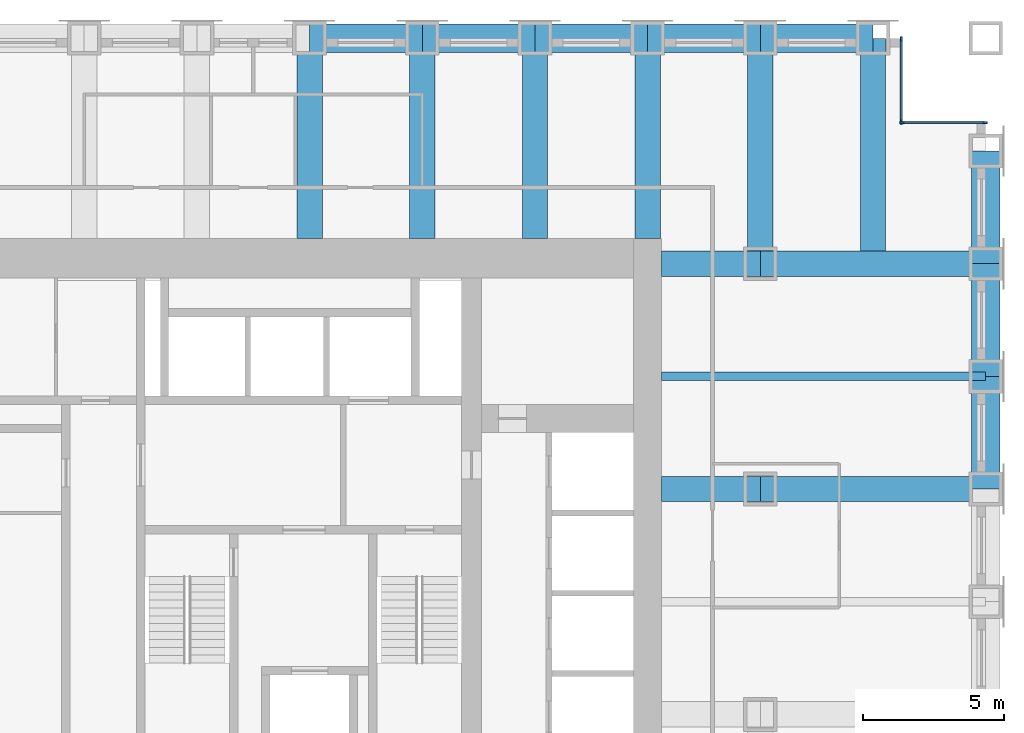
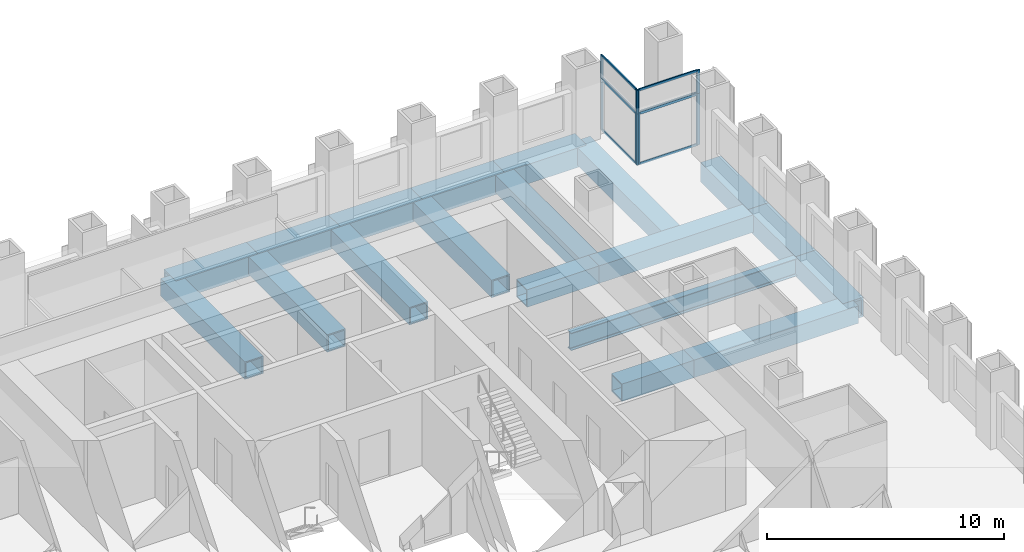
# One storey, part 7 of 15: 19 beams, 16 members, 4 elements without a shape of their own.
"""IFC4 building model written with IfcOpenShell, lengths in metres."""

from ifc_helpers import new_model, si_unit, direction, frame, origin, origin_2d, place, context, subcontext, project, spatial, rectangle, hollow_rectangle, i_section, extrude, material, material_profile, profile_set, type_object, element, aggregate, save


model = new_model("IFC4")

# Units and contexts
model_context = context("Model", 3, precision=1e-05, world=origin(), true_north=direction((0.0, 1.0)))
body_context = subcontext(model_context, "Body", "Model", "MODEL_VIEW")
ifc_project = project(units=[si_unit("LENGTHUNIT", "METRE"), si_unit("AREAUNIT", "SQUARE_METRE"), si_unit("VOLUMEUNIT", "CUBIC_METRE"), si_unit("PLANEANGLEUNIT", "RADIAN"), si_unit("MASSUNIT", "GRAM", prefix="KILO")], contexts=[model_context])

# Site, building, storey
site_placement = place(None, origin())
site = spatial("IfcSite", under=ifc_project, at=site_placement, CompositionType="ELEMENT")
building_placement = place(site_placement, origin())
building = spatial("IfcBuilding", under=site, at=building_placement, Name="Rimbunsela Tower", CompositionType="ELEMENT")
storey_placement = place(building_placement, frame((0.0, 0.0, 39.0)))
storey = spatial("IfcBuildingStorey", under=building, at=storey_placement, Name="L09", CompositionType="ELEMENT", Elevation=39.0)

# Beams
ifc_material_1 = material(Name="Steel BJ 55 (fy 410 MPa)", Category="steel")
ifc_material_profile_1 = material_profile(ifc_material_1, hollow_rectangle(XDim=1.0, YDim=1.0, WallThickness=0.10009765625, at=origin_2d()), Name="BOX 1000x1000x100")
ifc_profile_set_1 = profile_set([ifc_material_profile_1], Name="Steel BJ 55 (fy 410 MPa)")
beam_type_1 = type_object("IfcBeamType", Name="Beam BOX 1000x1000x100", PredefinedType="BEAM", material=ifc_profile_set_1)
for number, where, z_axis, x_axis, name in (
    (1, (30.0, 44.0, -0.64990234375), (1.0, 0.0, 0.0), (0.0, 1.0, 0.0), "Beam B3 L09"),
    (2, (34.0, 44.0, -0.64990234375), (1.0, 0.0, 0.0), (0.0, 1.0, 0.0), "Beam B3 L09"),
    (3, (38.0, 44.0, -0.64990234375), (1.0, 0.0, 0.0), (0.0, 1.0, 0.0), "Beam B3 L09"),
    (4, (42.0, 44.0, -0.64990234375), (1.0, 0.0, 0.0), (0.0, 1.0, 0.0), "Beam B3 L09"),
    (5, (46.0, 44.0, -0.64990234375), (1.0, 0.0, 0.0), (0.0, 1.0, 0.0), "Beam B3 L09"),
    (6, (54.0, 28.0, -0.64990234375), (0.0, 1.0, 0.0), (-1.0, 0.0, 0.0), "Beam B3 L09"),
    (7, (54.0, 32.0, -0.64990234375), (0.0, 1.0, 0.0), (-1.0, 0.0, 0.0), "Beam B3 L09"),
    (8, (54.0, 36.0, -0.64990234375), (0.0, 1.0, 0.0), (-1.0, 0.0, 0.0), "Beam B3 L09"),
):
    element("IfcBeam", number, at=place(storey_placement, frame(where, z_axis=z_axis, x_axis=x_axis)), inside=storey, type_object=beam_type_1, Name=name, PredefinedType="BEAM", context=body_context, shape_type="SweptSolid", body=[
        extrude(hollow_rectangle(XDim=1.0, YDim=1.0, WallThickness=0.10009765625, at=origin_2d()), origin(), (0.0, 0.0, 1.0), 4.0),
    ])
ifc_material_2 = material(Name="Steel BJ 55 (fy 410 MPa)", Category="steel")
ifc_material_profile_2 = material_profile(ifc_material_2, hollow_rectangle(XDim=0.89990234375, YDim=0.89990234375, WallThickness=0.06005859375, at=origin_2d()), Name="BOX 900x900x60")
ifc_profile_set_2 = profile_set([ifc_material_profile_2], Name="Steel BJ 55 (fy 410 MPa)")
beam_type_2 = type_object("IfcBeamType", Name="Beam BOX 900x900x60", PredefinedType="BEAM", material=ifc_profile_set_2)
for number, where, z_axis, x_axis, name in (
    (9, (30.0, 36.89990234375, -0.60009765625), (0.0, 1.0, 0.0), (-1.0, 0.0, 0.0), "Beam B1 L09"),
    (10, (34.0, 36.89990234375, -0.60009765625), (0.0, 1.0, 0.0), (-1.0, 0.0, 0.0), "Beam B1 L09"),
    (11, (38.0, 36.89990234375, -0.60009765625), (0.0, 1.0, 0.0), (-1.0, 0.0, 0.0), "Beam B1 L09"),
    (12, (42.0, 36.89990234375, -0.60009765625), (0.0, 1.0, 0.0), (-1.0, 0.0, 0.0), "Beam B1 L09"),
):
    element("IfcBeam", number, at=place(storey_placement, frame(where, z_axis=z_axis, x_axis=x_axis)), inside=storey, type_object=beam_type_2, Name=name, PredefinedType="BEAM", context=body_context, shape_type="SweptSolid", body=[
        extrude(hollow_rectangle(XDim=0.89990234375, YDim=0.89990234375, WallThickness=0.06005859375, at=origin_2d()), origin(), (0.0, 0.0, 1.0), 7.10009765625),
    ])
for number, where, z_axis, x_axis, name in (
    (13, (42.5, 28.0, -0.60009765625), (1.0, 0.0, 0.0), (0.0, 1.0, 0.0), "Beam B1 L09"),
    (14, (42.5, 36.0, -0.60009765625), (1.0, 0.0, 0.0), (0.0, 1.0, 0.0), "Beam B1 L09"),
):
    element("IfcBeam", number, at=place(storey_placement, frame(where, z_axis=z_axis, x_axis=x_axis)), inside=storey, type_object=beam_type_2, Name=name, PredefinedType="BEAM", context=body_context, shape_type="SweptSolid", body=[
        extrude(hollow_rectangle(XDim=0.89990234375, YDim=0.89990234375, WallThickness=0.06005859375, at=origin_2d()), origin(), (0.0, 0.0, 1.0), 3.5),
    ])
for number, where, z_axis, x_axis, name in (
    (15, (46.0, 28.0, -0.60009765625), (1.0, 0.0, 0.0), (0.0, 1.0, 0.0), "Beam B1 L09"),
    (16, (46.0, 36.0, -0.60009765625), (0.0, 1.0, 0.0), (-1.0, 0.0, 0.0), "Beam B1 L09"),
    (17, (46.0, 36.0, -0.60009765625), (1.0, 0.0, 0.0), (0.0, 1.0, 0.0), "Beam B1 L09"),
):
    element("IfcBeam", number, at=place(storey_placement, frame(where, z_axis=z_axis, x_axis=x_axis)), inside=storey, type_object=beam_type_2, Name=name, PredefinedType="BEAM", context=body_context, shape_type="SweptSolid", body=[
        extrude(hollow_rectangle(XDim=0.89990234375, YDim=0.89990234375, WallThickness=0.06005859375, at=origin_2d()), origin(), (0.0, 0.0, 1.0), 8.0),
    ])
beam_1_placement = place(storey_placement, frame((50.0, 36.449951171875, -0.60009765625), z_axis=(0.0, 1.0, 0.0), x_axis=(-1.0, 0.0, 0.0)))
element("IfcBeam", 18, at=beam_1_placement, inside=storey, type_object=beam_type_2, Name="Beam B1 L09", PredefinedType="BEAM", context=body_context, shape_type="SweptSolid", body=[
    extrude(hollow_rectangle(XDim=0.89990234375, YDim=0.89990234375, WallThickness=0.06005859375, at=origin_2d()), origin(), (0.0, 0.0, 1.0), 7.550048828125),
])
ifc_material_3 = material(Name="Steel BJ 55 (fy 410 MPa)", Category="steel")
ifc_material_profile_3 = material_profile(ifc_material_3, i_section(OverallWidth=0.300048828125, OverallDepth=0.89990234375, WebThickness=0.01611328125, FlangeThickness=0.028076171875, FilletRadius=0.028076171875, at=origin_2d()), Name="H 900x300x16x28")
ifc_profile_set_3 = profile_set([ifc_material_profile_3], Name="Steel BJ 55 (fy 410 MPa)")
beam_type_3 = type_object("IfcBeamType", Name="Beam H 900x300x16x28", PredefinedType="BEAM", material=ifc_profile_set_3)
beam_2_placement = place(storey_placement, frame((42.5, 32.0, -0.60009765625), z_axis=(1.0, 0.0, 0.0), x_axis=(0.0, 1.0, 0.0)))
element("IfcBeam", 19, at=beam_2_placement, inside=storey, type_object=beam_type_3, Name="Beam B2 L09", PredefinedType="BEAM", context=body_context, shape_type="SweptSolid", body=[
    extrude(i_section(OverallWidth=0.300048828125, OverallDepth=0.89990234375, WebThickness=0.01611328125, FlangeThickness=0.028076171875, FilletRadius=0.028076171875, at=origin_2d()), origin(), (0.0, 0.0, 1.0), 11.5),
])

# Curtain wall, members
ifc_material_4 = material(Name="Aluminium curtain wall", Category="aluminium")
curtain_wall_type_1 = type_object("IfcCurtainWallType", Name="Corner glazing", PredefinedType="USERDEFINED", material=ifc_material_4)
curtain_wall_1_placement = place(storey_placement, origin())
curtain_wall_1 = element("IfcCurtainWall", 20, at=curtain_wall_1_placement, inside=storey, type_object=curtain_wall_type_1, Name="Corner glazing L09", ObjectType="CORNER GLAZING", PredefinedType="USERDEFINED")
ifc_material_5 = material(Name="Aluminium mullion", Category="aluminium")
ifc_material_profile_4 = material_profile(ifc_material_5, rectangle(XDim=0.06005859375, YDim=0.159912109375, at=origin_2d()), Name="Mullion 60x160")
ifc_profile_set_4 = profile_set([ifc_material_profile_4], Name="Aluminium mullion")
member_type_1 = type_object("IfcMemberType", Name="Curtain wall mullion 60x160", PredefinedType="MULLION", material=ifc_profile_set_4)
member_1_placement = place(storey_placement, frame((53.969970703125, 41.0, 0.0), z_axis=(0.0, 0.0, 1.0), x_axis=(0.0, -1.0, 0.0)))
member_1 = element("IfcMember", 21, at=member_1_placement, type_object=member_type_1, Name="CW5 mullion 1", PredefinedType="MULLION", context=body_context, shape_type="SweptSolid", body=[
    extrude(rectangle(XDim=0.06005859375, YDim=0.159912109375, at=origin_2d()), origin(), (0.0, 0.0, 1.0), 2.64990234375),
])
member_2_placement = place(storey_placement, frame((51.030029296875, 41.0, 0.0), z_axis=(0.0, 0.0, 1.0), x_axis=(0.0, -1.0, 0.0)))
member_2 = element("IfcMember", 22, at=member_2_placement, type_object=member_type_1, Name="CW5 mullion 2", PredefinedType="MULLION", context=body_context, shape_type="SweptSolid", body=[
    extrude(rectangle(XDim=0.06005859375, YDim=0.159912109375, at=origin_2d()), origin(), (0.0, 0.0, 1.0), 2.64990234375),
])

ifc_material_6 = material(Name="Aluminium curtain wall", Category="aluminium")
curtain_wall_type_2 = type_object("IfcCurtainWallType", Name="Spandrel wall", PredefinedType="USERDEFINED", material=ifc_material_6)
curtain_wall_2_placement = place(storey_placement, origin())
curtain_wall_2 = element("IfcCurtainWall", 23, at=curtain_wall_2_placement, inside=storey, type_object=curtain_wall_type_2, Name="Spandrel wall L09", ObjectType="SPANDREL WALL", PredefinedType="USERDEFINED")
member_3_placement = place(storey_placement, frame((53.969970703125, 41.0, 2.64990234375), z_axis=(0.0, 0.0, 1.0), x_axis=(0.0, -1.0, 0.0)))
member_3 = element("IfcMember", 24, at=member_3_placement, type_object=member_type_1, Name="CW7 mullion 1", PredefinedType="MULLION", context=body_context, shape_type="SweptSolid", body=[
    extrude(rectangle(XDim=0.06005859375, YDim=0.159912109375, at=origin_2d()), origin(), (0.0, 0.0, 1.0), 1.2001953125),
])
member_4_placement = place(storey_placement, frame((51.030029296875, 41.0, 2.64990234375), z_axis=(0.0, 0.0, 1.0), x_axis=(0.0, -1.0, 0.0)))
member_4 = element("IfcMember", 25, at=member_4_placement, type_object=member_type_1, Name="CW7 mullion 2", PredefinedType="MULLION", context=body_context, shape_type="SweptSolid", body=[
    extrude(rectangle(XDim=0.06005859375, YDim=0.159912109375, at=origin_2d()), origin(), (0.0, 0.0, 1.0), 1.2001953125),
])

curtain_wall_3_placement = place(storey_placement, origin())
curtain_wall_3 = element("IfcCurtainWall", 26, at=curtain_wall_3_placement, inside=storey, type_object=curtain_wall_type_1, Name="Corner glazing L09", ObjectType="CORNER GLAZING", PredefinedType="USERDEFINED")
member_5_placement = place(storey_placement, frame((51.0, 41.030029296875, 0.0), z_axis=(0.0, 0.0, 1.0), x_axis=(-1.0, 0.0, 0.0)))
member_5 = element("IfcMember", 27, at=member_5_placement, type_object=member_type_1, Name="CW5 mullion 1", PredefinedType="MULLION", context=body_context, shape_type="SweptSolid", body=[
    extrude(rectangle(XDim=0.06005859375, YDim=0.159912109375, at=origin_2d()), origin(), (0.0, 0.0, 1.0), 2.64990234375),
])
member_6_placement = place(storey_placement, frame((51.0, 43.969970703125, 0.0), z_axis=(0.0, 0.0, 1.0), x_axis=(-1.0, 0.0, 0.0)))
member_6 = element("IfcMember", 28, at=member_6_placement, type_object=member_type_1, Name="CW5 mullion 2", PredefinedType="MULLION", context=body_context, shape_type="SweptSolid", body=[
    extrude(rectangle(XDim=0.06005859375, YDim=0.159912109375, at=origin_2d()), origin(), (0.0, 0.0, 1.0), 2.64990234375),
])

curtain_wall_4_placement = place(storey_placement, origin())
curtain_wall_4 = element("IfcCurtainWall", 29, at=curtain_wall_4_placement, inside=storey, type_object=curtain_wall_type_2, Name="Spandrel wall L09", ObjectType="SPANDREL WALL", PredefinedType="USERDEFINED")
member_7_placement = place(storey_placement, frame((51.0, 41.030029296875, 2.64990234375), z_axis=(0.0, 0.0, 1.0), x_axis=(-1.0, 0.0, 0.0)))
member_7 = element("IfcMember", 30, at=member_7_placement, type_object=member_type_1, Name="CW7 mullion 1", PredefinedType="MULLION", context=body_context, shape_type="SweptSolid", body=[
    extrude(rectangle(XDim=0.06005859375, YDim=0.159912109375, at=origin_2d()), origin(), (0.0, 0.0, 1.0), 1.2001953125),
])
member_8_placement = place(storey_placement, frame((51.0, 43.969970703125, 2.64990234375), z_axis=(0.0, 0.0, 1.0), x_axis=(-1.0, 0.0, 0.0)))
member_8 = element("IfcMember", 31, at=member_8_placement, type_object=member_type_1, Name="CW7 mullion 2", PredefinedType="MULLION", context=body_context, shape_type="SweptSolid", body=[
    extrude(rectangle(XDim=0.06005859375, YDim=0.159912109375, at=origin_2d()), origin(), (0.0, 0.0, 1.0), 1.2001953125),
])

# Member
ifc_material_7 = material(Name="Aluminium transom", Category="aluminium")
ifc_material_profile_5 = material_profile(ifc_material_7, rectangle(XDim=0.06005859375, YDim=0.1201171875, at=origin_2d()), Name="Transom 60x120")
ifc_profile_set_5 = profile_set([ifc_material_profile_5], Name="Aluminium transom")
member_type_2 = type_object("IfcMemberType", Name="Curtain wall transom 60x120", PredefinedType="USERDEFINED", material=ifc_profile_set_5)
member_9_placement = place(storey_placement, frame((53.93994140625, 41.0, 0.030029296875), z_axis=(-1.0, 0.0, 0.0), x_axis=(0.0, -1.0, 0.0)))
member_9 = element("IfcMember", 32, at=member_9_placement, type_object=member_type_2, Name="CW5 transom 1.1", ObjectType="TRANSOM", PredefinedType="USERDEFINED", context=body_context, shape_type="SweptSolid", body=[
    extrude(rectangle(XDim=0.06005859375, YDim=0.1201171875, at=origin_2d()), origin(), (0.0, 0.0, 1.0), 2.8798828125),
])

member_10_placement = place(storey_placement, frame((53.93994140625, 41.0, 2.6201171875), z_axis=(-1.0, 0.0, 0.0), x_axis=(0.0, -1.0, 0.0)))
member_10 = element("IfcMember", 33, at=member_10_placement, type_object=member_type_2, Name="CW5 transom 1.2", ObjectType="TRANSOM", PredefinedType="USERDEFINED", context=body_context, shape_type="SweptSolid", body=[
    extrude(rectangle(XDim=0.06005859375, YDim=0.1201171875, at=origin_2d()), origin(), (0.0, 0.0, 1.0), 2.8798828125),
])

aggregate(curtain_wall_1, [member_1, member_2, member_9, member_10])

member_11_placement = place(storey_placement, frame((53.93994140625, 41.0, 2.679931640625), z_axis=(-1.0, 0.0, 0.0), x_axis=(0.0, -1.0, 0.0)))
member_11 = element("IfcMember", 34, at=member_11_placement, type_object=member_type_2, Name="CW7 transom 1.1", ObjectType="TRANSOM", PredefinedType="USERDEFINED", context=body_context, shape_type="SweptSolid", body=[
    extrude(rectangle(XDim=0.06005859375, YDim=0.1201171875, at=origin_2d()), origin(), (0.0, 0.0, 1.0), 2.8798828125),
])

member_12_placement = place(storey_placement, frame((53.93994140625, 41.0, 3.820068359375), z_axis=(-1.0, 0.0, 0.0), x_axis=(0.0, -1.0, 0.0)))
member_12 = element("IfcMember", 35, at=member_12_placement, type_object=member_type_2, Name="CW7 transom 1.2", ObjectType="TRANSOM", PredefinedType="USERDEFINED", context=body_context, shape_type="SweptSolid", body=[
    extrude(rectangle(XDim=0.06005859375, YDim=0.1201171875, at=origin_2d()), origin(), (0.0, 0.0, 1.0), 2.8798828125),
])

aggregate(curtain_wall_2, [member_3, member_4, member_11, member_12])

member_13_placement = place(storey_placement, frame((51.0, 41.06005859375, 0.030029296875), z_axis=(0.0, 1.0, 0.0), x_axis=(-1.0, 0.0, 0.0)))
member_13 = element("IfcMember", 36, at=member_13_placement, type_object=member_type_2, Name="CW5 transom 1.1", ObjectType="TRANSOM", PredefinedType="USERDEFINED", context=body_context, shape_type="SweptSolid", body=[
    extrude(rectangle(XDim=0.06005859375, YDim=0.1201171875, at=origin_2d()), origin(), (0.0, 0.0, 1.0), 2.8798828125),
])

member_14_placement = place(storey_placement, frame((51.0, 41.06005859375, 2.6201171875), z_axis=(0.0, 1.0, 0.0), x_axis=(-1.0, 0.0, 0.0)))
member_14 = element("IfcMember", 37, at=member_14_placement, type_object=member_type_2, Name="CW5 transom 1.2", ObjectType="TRANSOM", PredefinedType="USERDEFINED", context=body_context, shape_type="SweptSolid", body=[
    extrude(rectangle(XDim=0.06005859375, YDim=0.1201171875, at=origin_2d()), origin(), (0.0, 0.0, 1.0), 2.8798828125),
])

aggregate(curtain_wall_3, [member_5, member_6, member_13, member_14])

member_15_placement = place(storey_placement, frame((51.0, 41.06005859375, 2.679931640625), z_axis=(0.0, 1.0, 0.0), x_axis=(-1.0, 0.0, 0.0)))
member_15 = element("IfcMember", 38, at=member_15_placement, type_object=member_type_2, Name="CW7 transom 1.1", ObjectType="TRANSOM", PredefinedType="USERDEFINED", context=body_context, shape_type="SweptSolid", body=[
    extrude(rectangle(XDim=0.06005859375, YDim=0.1201171875, at=origin_2d()), origin(), (0.0, 0.0, 1.0), 2.8798828125),
])

member_16_placement = place(storey_placement, frame((51.0, 41.06005859375, 3.820068359375), z_axis=(0.0, 1.0, 0.0), x_axis=(-1.0, 0.0, 0.0)))
member_16 = element("IfcMember", 39, at=member_16_placement, type_object=member_type_2, Name="CW7 transom 1.2", ObjectType="TRANSOM", PredefinedType="USERDEFINED", context=body_context, shape_type="SweptSolid", body=[
    extrude(rectangle(XDim=0.06005859375, YDim=0.1201171875, at=origin_2d()), origin(), (0.0, 0.0, 1.0), 2.8798828125),
])

aggregate(curtain_wall_4, [member_7, member_8, member_15, member_16])

save(model, "model.ifc")
